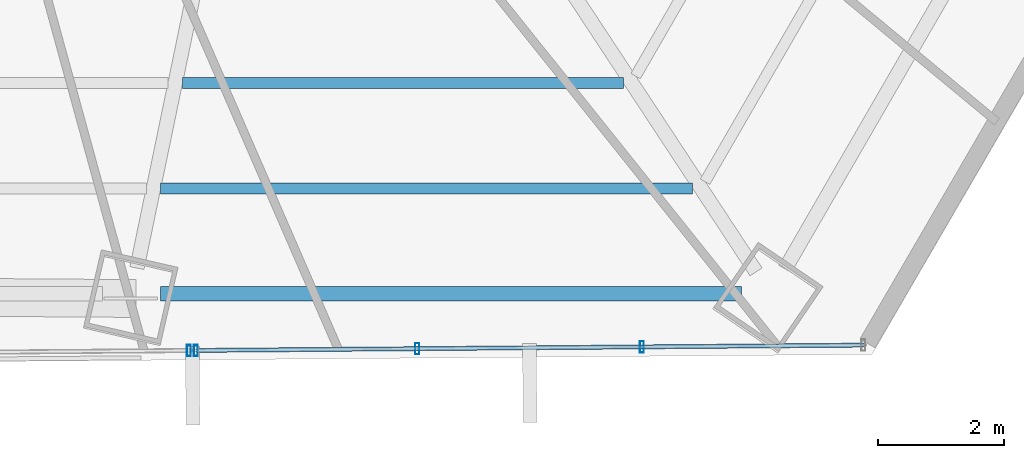
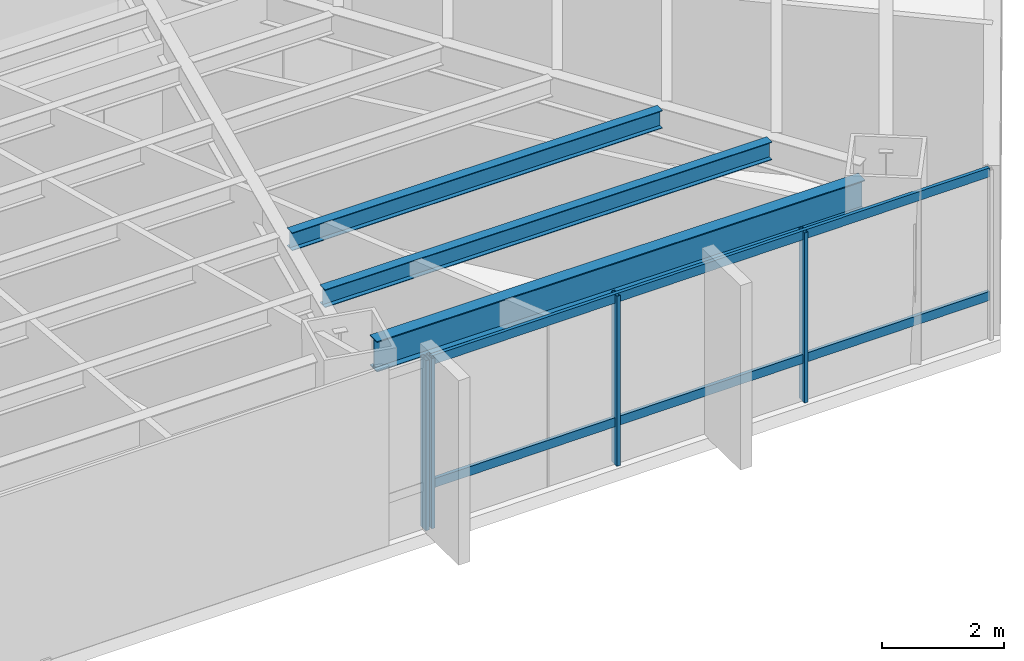
# One storey, part 16 of 38: 6 members, 3 beams, 2 elements without a shape of their own.
"""IFC4 building model written with IfcOpenShell, lengths in metres."""

from ifc_helpers import new_model, si_unit, direction, frame, origin, origin_2d, place, context, subcontext, project, spatial, hollow_rectangle, i_section, extrude, source, transform, mapped, material, material_profile, profile_set, type_object, type_shapes, element, aggregate, save


model = new_model("IFC4")

# Units and contexts
model_context = context("Model", 3, precision=1e-05, world=origin(), true_north=direction((0.0, 1.0)))
body_context = subcontext(model_context, "Body", "Model", "MODEL_VIEW")
ifc_project = project(units=[si_unit("LENGTHUNIT", "METRE"), si_unit("AREAUNIT", "SQUARE_METRE"), si_unit("VOLUMEUNIT", "CUBIC_METRE"), si_unit("PLANEANGLEUNIT", "RADIAN"), si_unit("MASSUNIT", "GRAM", prefix="KILO")], contexts=[model_context])

# Site, building, storey
site_placement = place(None, origin())
site = spatial("IfcSite", under=ifc_project, at=site_placement, CompositionType="ELEMENT")
building_placement = place(site_placement, origin())
building = spatial("IfcBuilding", under=site, at=building_placement, Name="Caelisora Broadcast Tower", CompositionType="ELEMENT")
storey_placement = place(building_placement, frame((0.0, 0.0, 67.75)))
storey = spatial("IfcBuildingStorey", under=building, at=storey_placement, Name="L17", CompositionType="ELEMENT", Elevation=67.75)

# Beams
ifc_material_1 = material(Name="Steel Grade 350 (AS/NZS 3679.1)", Category="steel")
ifc_material_profile_1 = material_profile(ifc_material_1, i_section(OverallWidth=0.22900390625, OverallDepth=0.611572265625, WebThickness=0.011962890625, FlangeThickness=0.01953125, at=origin_2d()), Name="Steel Grade 350 (AS/NZS 3679.1)")
ifc_profile_set_1 = profile_set([ifc_material_profile_1], Name="Steel Grade 350 (AS/NZS 3679.1)")
beam_type_1 = type_object("IfcBeamType", Name="PG03", PredefinedType="BEAM", material=ifc_profile_set_1)
shared_shape_1 = source(origin(), body_context, "Body", "SweptSolid", [
    extrude(i_section(OverallWidth=0.22900390625, OverallDepth=0.611572265625, WebThickness=0.011962890625, FlangeThickness=0.01953125, at=origin_2d()), origin(), (0.0, 0.0, 1.0), 9.22802734375),
])
type_shapes(beam_type_1, [shared_shape_1])
beam_1_placement = place(storey_placement, frame((43.5341796875, 5.66748046875, 3.09423828125), z_axis=(1.0, 0.0, 0.0), x_axis=(0.0, 1.0, 0.0)))
element("IfcBeam", 1, at=beam_1_placement, inside=storey, type_object=beam_type_1, Name="L17 beam PG03", PredefinedType="BEAM", context=body_context, shape_type="MappedRepresentation", body=[
    mapped(shared_shape_1, transform((0.0, 0.0, 0.0), scale=1.0)),
])
ifc_material_profile_2 = material_profile(ifc_material_1, i_section(OverallWidth=0.172119140625, OverallDepth=0.358642578125, WebThickness=0.008056640625, FlangeThickness=0.012939453125, at=origin_2d()), Name="Steel Grade 350 (AS/NZS 3679.1)")
ifc_profile_set_2 = profile_set([ifc_material_profile_2], Name="Steel Grade 350 (AS/NZS 3679.1)")
beam_type_2 = type_object("IfcBeamType", Name="SB02", PredefinedType="JOIST", material=ifc_profile_set_2)
shared_shape_2 = source(origin(), body_context, "Body", "SweptSolid", [
    extrude(i_section(OverallWidth=0.172119140625, OverallDepth=0.358642578125, WebThickness=0.008056640625, FlangeThickness=0.012939453125, at=origin_2d()), origin(), (0.0, 0.0, 1.0), 7.001708984375),
])
beam_2_placement = place(storey_placement, frame((43.880615234375, 9.019775390625, 3.220703125), z_axis=(1.0, 0.0, 0.0), x_axis=(0.0, 1.0, 0.0)))
element("IfcBeam", 2, at=beam_2_placement, inside=storey, type_object=beam_type_2, Name="L17 beam SB02", PredefinedType="JOIST", context=body_context, shape_type="MappedRepresentation", body=[
    mapped(shared_shape_2, transform((0.0, 0.0, 0.0), scale=1.0)),
])
shared_shape_3 = source(origin(), body_context, "Body", "SweptSolid", [
    extrude(i_section(OverallWidth=0.172119140625, OverallDepth=0.358642578125, WebThickness=0.008056640625, FlangeThickness=0.012939453125, at=origin_2d()), origin(), (0.0, 0.0, 1.0), 8.451416015625),
])
type_shapes(beam_type_2, [shared_shape_2, shared_shape_3])
beam_3_placement = place(storey_placement, frame((43.5341796875, 7.34375, 3.220703125), z_axis=(1.0, 0.0, 0.0), x_axis=(0.0, 1.0, 0.0)))
element("IfcBeam", 3, at=beam_3_placement, inside=storey, type_object=beam_type_2, Name="L17 beam SB02", PredefinedType="JOIST", context=body_context, shape_type="MappedRepresentation", body=[
    mapped(shared_shape_3, transform((0.0, 0.0, 0.0), scale=1.0)),
])

# Curtain wall, members
ifc_material_2 = material(Name="Unitised Aluminium and Low-E Glass Curtain Wall", Category="glass")
curtain_wall_type_1 = type_object("IfcCurtainWallType", Name="CW-Z1", PredefinedType="NOTDEFINED", material=ifc_material_2)
curtain_wall_1_placement = place(storey_placement, origin())
curtain_wall_1 = element("IfcCurtainWall", 4, at=curtain_wall_1_placement, inside=storey, type_object=curtain_wall_type_1, Name="L17 curtain wall CW-Z1", PredefinedType="NOTDEFINED")
ifc_material_3 = material(Name="Aluminium 6063-T6 Anodised Terracotta Bronze", Category="aluminium")
ifc_material_profile_3 = material_profile(ifc_material_3, hollow_rectangle(XDim=0.06494140625, YDim=0.179931640625, WallThickness=0.00341796875, at=origin_2d()), Name="Aluminium 6063-T6 Anodised Terracotta Bronze")
ifc_profile_set_3 = profile_set([ifc_material_profile_3], Name="Aluminium 6063-T6 Anodised Terracotta Bronze")
member_type_1 = type_object("IfcMemberType", Name="CWM-02", PredefinedType="MULLION", material=ifc_profile_set_3)
shared_shape_4 = source(origin(), body_context, "Body", "SweptSolid", [
    extrude(hollow_rectangle(XDim=0.06494140625, YDim=0.179931640625, WallThickness=0.00341796875, at=origin_2d()), origin(), (0.0, 0.0, 1.0), 3.39990234375),
])
type_shapes(member_type_1, [shared_shape_4])
member_1_placement = place(storey_placement, frame((51.1787109375, 4.826416015625, 0.0), z_axis=(0.0, 0.0, 1.0), x_axis=(1.0, 0.0, 0.0)))
member_1 = element("IfcMember", 5, at=member_1_placement, type_object=member_type_1, Name="L17-CW-B05 mullion #1", PredefinedType="MULLION", context=body_context, shape_type="MappedRepresentation", body=[
    mapped(shared_shape_4, transform((0.0, 0.0, 0.0), scale=1.0)),
])
member_2_placement = place(storey_placement, frame((47.611572265625, 4.7978515625, 0.0), z_axis=(0.0, 0.0, 1.0), x_axis=(1.0, 0.0, 0.0)))
member_2 = element("IfcMember", 6, at=member_2_placement, type_object=member_type_1, Name="L17-CW-B05 mullion #2", PredefinedType="MULLION", context=body_context, shape_type="MappedRepresentation", body=[
    mapped(shared_shape_4, transform((0.0, 0.0, 0.0), scale=1.0)),
])
member_3_placement = place(storey_placement, frame((44.09423828125, 4.769775390625, 0.0), z_axis=(0.0, 0.0, 1.0), x_axis=(1.0, 0.0, 0.0)))
member_3 = element("IfcMember", 7, at=member_3_placement, type_object=member_type_1, Name="L17-CW-B05 mullion #3", PredefinedType="MULLION", context=body_context, shape_type="MappedRepresentation", body=[
    mapped(shared_shape_4, transform((0.0, 0.0, 0.0), scale=1.0)),
])

# Curtain wall, member
ifc_material_4 = material(Name="Unitised Aluminium Insulated Shadow-Box Spandrel Curtain Wall", Category="aluminium")
curtain_wall_type_2 = type_object("IfcCurtainWallType", Name="CW-SP1", PredefinedType="NOTDEFINED", material=ifc_material_4)
curtain_wall_2_placement = place(storey_placement, origin())
curtain_wall_2 = element("IfcCurtainWall", 8, at=curtain_wall_2_placement, inside=storey, type_object=curtain_wall_type_2, Name="L17 curtain wall CW-SP1", PredefinedType="NOTDEFINED")
member_4_placement = place(storey_placement, frame((43.984375, 4.768798828125, 0.0), z_axis=(0.0, 0.0, 1.0), x_axis=(1.0, 0.0, 0.0)))
member_4 = element("IfcMember", 9, at=member_4_placement, type_object=member_type_1, Name="L17-CW-B06 mullion #0", PredefinedType="MULLION", context=body_context, shape_type="MappedRepresentation", body=[
    mapped(shared_shape_4, transform((0.0, 0.0, 0.0), scale=1.0)),
])
aggregate(curtain_wall_2, [member_4])

# Member
ifc_material_profile_4 = material_profile(ifc_material_3, hollow_rectangle(XDim=0.06494140625, YDim=0.179931640625, WallThickness=0.00341796875, at=origin_2d()), Name="Aluminium 6063-T6 Anodised Terracotta Bronze")
ifc_profile_set_4 = profile_set([ifc_material_profile_4], Name="Aluminium 6063-T6 Anodised Terracotta Bronze")
member_type_2 = type_object("IfcMemberType", Name="CWT-01", PredefinedType="USERDEFINED", material=ifc_profile_set_4)
shared_shape_5 = source(origin(), body_context, "Body", "SweptSolid", [
    extrude(hollow_rectangle(XDim=0.06494140625, YDim=0.179931640625, WallThickness=0.00341796875, at=origin_2d()), origin(), (0.0, 0.0, 1.0), 10.60205078125),
])
type_shapes(member_type_2, [shared_shape_5])
member_5_placement = place(storey_placement, frame((54.696044921875, 4.8544921875, 0.85009765625), z_axis=(-0.999968075177, -0.007990533612, 0.0), x_axis=(0.007990533612, -0.999968075177, 0.0)))
member_5 = element("IfcMember", 10, at=member_5_placement, type_object=member_type_2, Name="L17-CW-B05 transom #1", ObjectType="TRANSOM", PredefinedType="USERDEFINED", context=body_context, shape_type="MappedRepresentation", body=[
    mapped(shared_shape_5, transform((0.0, 0.0, 0.0), scale=1.0)),
])

member_6_placement = place(storey_placement, frame((54.696044921875, 4.8544921875, 3.320068359375), z_axis=(-0.999968075177, -0.007990533612, 0.0), x_axis=(0.007990533612, -0.999968075177, 0.0)))
member_6 = element("IfcMember", 11, at=member_6_placement, type_object=member_type_2, Name="L17-CW-B05 transom #2", ObjectType="TRANSOM", PredefinedType="USERDEFINED", context=body_context, shape_type="MappedRepresentation", body=[
    mapped(shared_shape_5, transform((0.0, 0.0, 0.0), scale=1.0)),
])

aggregate(curtain_wall_1, [member_1, member_2, member_3, member_5, member_6])

save(model, "model.ifc")
